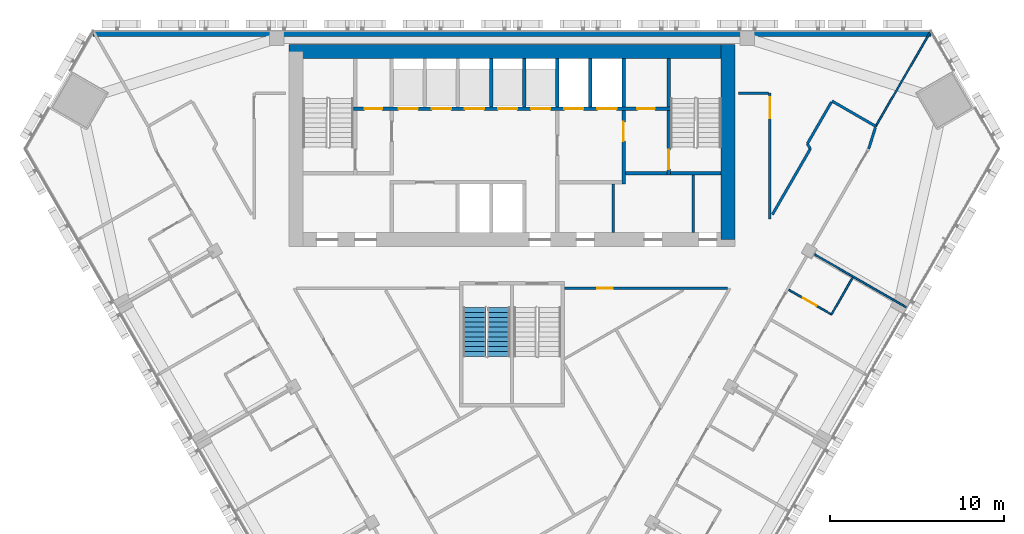
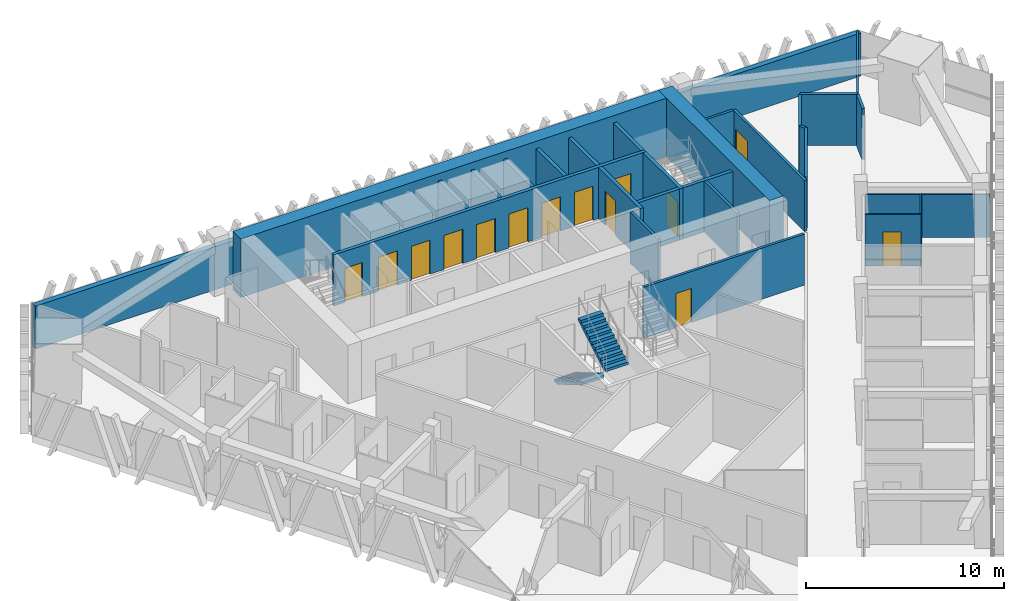
# One storey, part 12 of 16: 28 walls, 14 doors, 2 stair flights, 14 openings, 1 element without a shape of its own.
"""IFC4 building model written with IfcOpenShell, lengths in metres."""

import ifcopenshell
import ifcopenshell.guid

model = None  # the IFC model being written
_history = None  # IfcOwnerHistory: only IFC2X3 demands one
_inside = {}  # id of a spatial element -> (the spatial element, [elements in it])
_under = {}  # id of a project, library or spatial element -> (it, [spatial elements below it])
_declared = {}  # id of a project -> (the project, [libraries it declares])
_typed = {}  # id of a type object -> (the type object, [elements of that type])
_made_of = {}  # id of a material, layer set ... -> (it, [elements and type objects made of it])


def new_model(schema):
    """Start an empty IFC model of exactly this schema.

    Asked for "IFC4X3", IfcOpenShell would pick the latest addendum, in which some entities
    have other attributes; the version numbers below select the first issue.
    IFC2X3 requires an IfcOwnerHistory on every rooted entity: one is made here for all.
    """
    global model, _history
    if schema == "IFC4X3":
        model = ifcopenshell.file(schema_version=(4, 3, 0, 0))
    else:
        model = ifcopenshell.file(schema=schema)
    _inside.clear()
    _under.clear()
    _declared.clear()
    _typed.clear()
    _made_of.clear()
    _history = None
    if model.schema == "IFC2X3":
        org = make("IfcOrganization", Name="unknown")
        user = make(
            "IfcPersonAndOrganization",
            ThePerson=make("IfcPerson", FamilyName="unknown"),
            TheOrganization=org,
        )
        app = make(
            "IfcApplication",
            ApplicationDeveloper=org,
            Version="unknown",
            ApplicationFullName="unknown",
            ApplicationIdentifier="unknown",
        )
        _history = make(
            "IfcOwnerHistory",
            OwningUser=user,
            OwningApplication=app,
            ChangeAction="ADDED",
            CreationDate=0,
        )
    return model


def make(cls, **values):
    """One entity of the class cls with the attributes given. An attribute that is None is left unset."""
    return model.create_entity(
        cls, **{name: value for name, value in values.items() if value is not None}
    )


def rooted(cls, **values):
    """An entity with a GlobalId (a new one), such as an element, a storey or a relation."""
    return make(cls, GlobalId=ifcopenshell.guid.new(), OwnerHistory=_history, **values)


def si_unit(unit_type, name, prefix=None):
    """IfcSIUnit, for example si_unit("LENGTHUNIT", "METRE", prefix="MILLI")."""
    return make("IfcSIUnit", UnitType=unit_type, Prefix=prefix, Name=name)


def assignment(units):
    """IfcUnitAssignment: the units of a project."""
    return None if units is None else make("IfcUnitAssignment", Units=units)


def point(xyz):
    """IfcCartesianPoint."""
    return None if xyz is None else make("IfcCartesianPoint", Coordinates=xyz)


def direction(xyz):
    """IfcDirection."""
    return None if xyz is None else make("IfcDirection", DirectionRatios=xyz)


def frame(location, z_axis=None, x_axis=None):
    """IfcAxis2Placement3D, a coordinate frame: its origin and axes. An axis left out is left unset."""
    return make(
        "IfcAxis2Placement3D",
        Location=point(location),
        Axis=direction(z_axis),
        RefDirection=direction(x_axis),
    )


def frame_2d(location, x_axis=None):
    """IfcAxis2Placement2D, a coordinate frame in the plane: its origin and x axis."""
    return make(
        "IfcAxis2Placement2D", Location=point(location), RefDirection=direction(x_axis)
    )


def origin():
    """The frame at (0, 0, 0) with its axes left unset."""
    return frame((0.0, 0.0, 0.0))


def place(relative_to, where):
    """IfcLocalPlacement: puts the frame where relative to a parent placement (None: the world)."""
    return make(
        "IfcLocalPlacement", PlacementRelTo=relative_to, RelativePlacement=where
    )


def context(
    kind, dimensions, precision=None, world=None, true_north=None, identifier=None
):
    """IfcGeometricRepresentationContext, for example the 3D "Model" context."""
    return make(
        "IfcGeometricRepresentationContext",
        ContextIdentifier=identifier,
        ContextType=kind,
        CoordinateSpaceDimension=dimensions,
        Precision=precision,
        WorldCoordinateSystem=world,
        TrueNorth=true_north,
    )


def subcontext(parent, identifier, kind, view, scale=None):
    """IfcGeometricRepresentationSubContext, for example "Body" below "Model"."""
    return make(
        "IfcGeometricRepresentationSubContext",
        ContextIdentifier=identifier,
        ContextType=kind,
        ParentContext=parent,
        TargetScale=scale,
        TargetView=view,
    )


def project(units=None, contexts=None):
    """IfcProject with its units and contexts."""
    return rooted(
        "IfcProject",
        Name="project",
        RepresentationContexts=contexts,
        UnitsInContext=assignment(units),
    )


def spatial(cls, under=None, at=None, **own):
    """A site, building, storey or space (cls), placed at a placement, below another one or the project."""
    s = rooted(cls, ObjectPlacement=at, **own)
    if under is not None:
        _under.setdefault(under.id(), (under, []))[1].append(s)
    return s


def polyline(points):
    """IfcPolyline through the points."""
    return make("IfcPolyline", Points=[point(p) for p in points])


def profile(cls, at=None, kind="AREA", **sizes):
    """A parametric profile (cls). Its sizes go by their IFC names, for example OverallWidth=200.0."""
    return make(cls, ProfileType=kind, Position=at, **sizes)


def rectangle(**sizes):
    """IfcRectangleProfileDef."""
    return profile("IfcRectangleProfileDef", **sizes)


def outline(outer, holes=None, kind="AREA"):
    """IfcArbitraryClosedProfileDef: a profile drawn as a closed curve; with holes, ...WithVoids."""
    if holes is None:
        return make("IfcArbitraryClosedProfileDef", ProfileType=kind, OuterCurve=outer)
    return make(
        "IfcArbitraryProfileDefWithVoids",
        ProfileType=kind,
        OuterCurve=outer,
        InnerCurves=holes,
    )


def extrude(swept, where, along, depth):
    """IfcExtrudedAreaSolid: the profile swept, set in the frame where, extruded along a direction by depth."""
    return make(
        "IfcExtrudedAreaSolid",
        SweptArea=swept,
        Position=where,
        ExtrudedDirection=direction(along),
        Depth=depth,
    )


def shape(context_of_items, identifier, shape_type, items):
    """IfcShapeRepresentation: the items that make up one representation, for example the "Body"."""
    return make(
        "IfcShapeRepresentation",
        ContextOfItems=context_of_items,
        RepresentationIdentifier=identifier,
        RepresentationType=shape_type,
        Items=items,
    )


def material(Name=None, Category=None):
    """IfcMaterial."""
    return make("IfcMaterial", Name=Name, Category=Category)


def layer(
    of_material, thickness, ventilated=None, Name=None, Category=None, Priority=None
):
    """IfcMaterialLayer: one layer of a wall or slab, of a material (None: an air gap)."""
    return make(
        "IfcMaterialLayer",
        Material=of_material,
        LayerThickness=thickness,
        IsVentilated=ventilated,
        Name=Name,
        Category=Category,
        Priority=Priority,
    )


def layer_set(layers, Name=None):
    """IfcMaterialLayerSet."""
    return make("IfcMaterialLayerSet", MaterialLayers=layers, LayerSetName=Name)


def made_of(thing, what):
    """Note that an element or type object is made of a material, layer set ...; save() writes the relation."""
    if what is not None:
        _made_of.setdefault(what.id(), (what, []))[1].append(thing)
    return thing


def type_object(cls, material=None, **own):
    """A type object (cls), such as IfcWallType, which elements share."""
    return made_of(rooted(cls, **own), material)


def element(
    cls,
    number,
    at=None,
    inside=None,
    cuts=None,
    type_object=None,
    material=None,
    context=None,
    identifier="Body",
    shape_type=None,
    held_by="IfcProductDefinitionShape",
    body=None,
    shapes=None,
    **own,
):
    """One element of the class cls, such as IfcWall. Its Tag is "e" and its number.

    at: its placement. inside: the storey or other place that contains it. cuts: it is an
    opening in that element (IfcRelVoidsElement). A single representation is given by context,
    identifier, shape_type and body (its items); several are given by shapes. held_by: the class
    of the entity that holds the representations. save() writes the other relations.
    """
    e = rooted(cls, Tag="e%d" % number, ObjectPlacement=at, **own)
    if body is not None:
        shapes = [shape(context, identifier, shape_type, body)]
    if shapes is not None:
        e.Representation = make(held_by, Representations=shapes)
    if inside is not None:
        _inside.setdefault(inside.id(), (inside, []))[1].append(e)
    if cuts is not None:
        rooted(
            "IfcRelVoidsElement", RelatingBuildingElement=cuts, RelatedOpeningElement=e
        )
    if type_object is not None:
        _typed.setdefault(type_object.id(), (type_object, []))[1].append(e)
    return made_of(e, material)


def fill(opening, filler):
    """IfcRelFillsElement: the door or window that sits in an opening."""
    return rooted(
        "IfcRelFillsElement",
        RelatingOpeningElement=opening,
        RelatedBuildingElement=filler,
    )


def aggregate(whole, parts):
    """IfcRelAggregates: a whole, such as a stair, and the parts it consists of."""
    return rooted("IfcRelAggregates", RelatingObject=whole, RelatedObjects=parts)


def save(model, path):
    """Write the relations noted so far, then the file.

    IfcRelAggregates (storeys below a building ...), IfcRelContainedInSpatialStructure (elements
    in a storey), IfcRelDefinesByType, IfcRelAssociatesMaterial and IfcRelDeclares: one each for
    every whole, place, type object, material and project.
    """
    for whole, parts in _under.values():
        aggregate(whole, parts)
    for where, things in _inside.values():
        rooted(
            "IfcRelContainedInSpatialStructure",
            RelatedElements=things,
            RelatingStructure=where,
        )
    for kind, things in _typed.values():
        rooted("IfcRelDefinesByType", RelatedObjects=things, RelatingType=kind)
    for what, things in _made_of.values():
        rooted("IfcRelAssociatesMaterial", RelatedObjects=things, RelatingMaterial=what)
    for by, libraries in _declared.values():
        rooted("IfcRelDeclares", RelatingContext=by, RelatedDefinitions=libraries)
    model.write(path)


model = new_model("IFC4")

# Units and contexts
model_context = context("Model", 3, precision=1e-05, world=origin(), true_north=direction((0.0, 1.0)))
body_context = subcontext(model_context, "Body", "Model", "MODEL_VIEW")
ifc_project = project(units=[si_unit("LENGTHUNIT", "METRE"), si_unit("AREAUNIT", "SQUARE_METRE"), si_unit("VOLUMEUNIT", "CUBIC_METRE"), si_unit("PLANEANGLEUNIT", "RADIAN"), si_unit("MASSUNIT", "GRAM", prefix="KILO")], contexts=[model_context])

# Site, building, storey
site_placement = place(None, origin())
site = spatial("IfcSite", under=ifc_project, at=site_placement, CompositionType="ELEMENT")
building_placement = place(site_placement, origin())
building = spatial("IfcBuilding", under=site, at=building_placement, Name="Altiplano Prism Tower", CompositionType="ELEMENT")
storey_placement = place(building_placement, frame((0.0, 0.0, 127.800048828125)))
storey = spatial("IfcBuildingStorey", under=building, at=storey_placement, Name="L32", CompositionType="ELEMENT", Elevation=127.800048828125)

# Walls
ifc_material_1 = material(Name="Concrete C60/75", Category="concrete")
ifc_layer_1 = layer(ifc_material_1, 0.800048828125)
ifc_layer_set_1 = layer_set([ifc_layer_1], Name="Concrete C60/75")
wall_type_1 = type_object("IfcWallType", Name="Core wall 800", PredefinedType="SHEAR", material=ifc_layer_set_1)
wall_1_placement = place(storey_placement, frame((97.39990234375, 93.0, 0.0), z_axis=(0.0, 0.0, 1.0), x_axis=(0.0, 1.0, 0.0)))
element("IfcWall", 1, at=wall_1_placement, inside=storey, type_object=wall_type_1, Name="Core wall E L32", PredefinedType="SHEAR", context=body_context, shape_type="SweptSolid", body=[
    extrude(rectangle(XDim=11.199951171875, YDim=0.800048828125, at=frame_2d((5.60009765625, 0.0))), origin(), (0.0, 0.0, 1.0), 3.599853515625),
])
wall_2_placement = place(storey_placement, frame((97.39990234375, 103.800048828125, 0.0), z_axis=(0.0, 0.0, 1.0), x_axis=(-1.0, 0.0, 0.0)))
element("IfcWall", 2, at=wall_2_placement, inside=storey, type_object=wall_type_1, Name="Core wall N L32", PredefinedType="SHEAR", context=body_context, shape_type="SweptSolid", body=[
    extrude(rectangle(XDim=25.199951171875, YDim=0.800048828125, at=frame_2d((12.60009765625, 0.0))), origin(), (0.0, 0.0, 1.0), 3.599853515625),
])
ifc_material_2 = material(Name="Plasterboard on steel stud", Category="steel")
ifc_layer_2 = layer(ifc_material_2, 0.10009765625)
ifc_layer_set_2 = layer_set([ifc_layer_2], Name="Plasterboard on steel stud")
wall_type_2 = type_object("IfcWallType", Name="Partition 100 unit", PredefinedType="PARTITIONING", material=ifc_layer_set_2)
wall_3_placement = place(storey_placement, frame((104.55419921875, 90.827392578125, 0.0), z_axis=(0.0, 0.0, 1.0), x_axis=(-0.500018594424, -0.866014668023, 0.0)))
element("IfcWall", 3, at=wall_3_placement, inside=storey, type_object=wall_type_2, Name="Partition P02 L32 075", PredefinedType="PARTITIONING", context=body_context, shape_type="SweptSolid", body=[
    extrude(rectangle(XDim=2.4501953125, YDim=0.10009765625, at=frame_2d((1.22509765625, 0.0))), origin(), (0.0, 0.0, 1.0), 2.75),
])

# Wall, opening, door
wall_4_placement = place(storey_placement, frame((103.3291015625, 88.70556640625, 0.0), z_axis=(0.0, 0.0, 1.0), x_axis=(-0.866011447264, 0.500024172624, 0.0)))
wall_4 = element("IfcWall", 4, at=wall_4_placement, inside=storey, type_object=wall_type_2, Name="Partition P02 L32 076", PredefinedType="PARTITIONING", context=body_context, shape_type="SweptSolid", body=[
    extrude(rectangle(XDim=2.824951171875, YDim=0.10009765625, at=frame_2d((1.41259765625, 0.0))), origin(), (0.0, 0.0, 1.0), 3.14990234375),
])
opening_1_placement = place(wall_4_placement, frame((1.0, 0.0, 0.0)))
opening_1 = element("IfcOpeningElement", 5, at=opening_1_placement, cuts=wall_4, Name="Opening D1170", PredefinedType="OPENING", context=body_context, shape_type="SweptSolid", body=[
    extrude(rectangle(XDim=0.89990234375, YDim=2.10009765625, at=frame_2d((0.449951171875, 1.050048828125))), frame((0.0, 0.060546875, 0.0), z_axis=(0.0, -1.0, 0.0), x_axis=(1.0, 0.0, 0.0)), (0.0, 0.0, 1.0), 0.12109375),
])
ifc_material_3 = material(Name="Timber", Category="wood")
door_type_1 = type_object("IfcDoorType", Name="Ensuite door 900 x 2100", OperationType="NOTDEFINED", PredefinedType="NOTDEFINED", material=ifc_material_3)
door_1_placement = place(opening_1_placement, origin())
door_1 = element("IfcDoor", 6, at=door_1_placement, inside=storey, type_object=door_type_1, Name="Door D1170", OperationType="SINGLE_SWING_RIGHT", OverallHeight=2.10009765625, OverallWidth=0.89990234375, PredefinedType="NOTDEFINED", context=body_context, shape_type="SweptSolid", body=[
    extrude(rectangle(XDim=0.89990234375, YDim=2.10009765625, at=frame_2d((0.449951171875, 1.050048828125))), frame((0.0, 0.02490234375, 0.0), z_axis=(0.0, -1.0, 0.0), x_axis=(1.0, 0.0, 0.0)), (0.0, 0.0, 1.0), 0.050048828125),
])
fill(opening_1, door_1)

# Walls
ifc_layer_3 = layer(ifc_material_2, 0.10009765625)
ifc_layer_set_3 = layer_set([ifc_layer_3], Name="Plasterboard on steel stud")
wall_type_3 = type_object("IfcWallType", Name="Partition 100 wet", PredefinedType="PARTITIONING", material=ifc_layer_set_3)
wall_5_placement = place(storey_placement, frame((107.610107421875, 89.12060546875, 0.0), z_axis=(0.0, 0.0, 1.0), x_axis=(-0.866015887322, 0.500016482634, 0.0)))
element("IfcWall", 7, at=wall_5_placement, inside=storey, type_object=wall_type_3, Name="Partition P03 L32 077", PredefinedType="PARTITIONING", context=body_context, shape_type="SweptSolid", body=[
    extrude(rectangle(XDim=6.324951171875, YDim=0.10009765625, at=frame_2d((3.16259765625, 0.0))), origin(), (0.0, 0.0, 1.0), 2.64990234375),
])
wall_6_placement = place(storey_placement, frame((108.990966796875, 104.89990234375, 0.0), z_axis=(0.0, 0.0, 1.0), x_axis=(-0.500004896655, -0.866022576681, 0.0)))
element("IfcWall", 8, at=wall_6_placement, inside=storey, type_object=wall_type_3, Name="Partition P03 L32 078", PredefinedType="PARTITIONING", context=body_context, shape_type="SweptSolid", body=[
    extrude(rectangle(XDim=6.2353515625, YDim=0.10009765625, at=frame_2d((3.11767578125, 0.0))), origin(), (0.0, 0.0, 1.0), 2.64990234375),
])

# Wall, opening, door
ifc_layer_4 = layer(ifc_material_2, 0.14990234375)
ifc_layer_set_4 = layer_set([ifc_layer_4], Name="Plasterboard on steel stud")
wall_type_4 = type_object("IfcWallType", Name="Partition 150 corridor", PredefinedType="PARTITIONING", material=ifc_layer_set_4)
wall_7_placement = place(storey_placement, frame((88.0, 90.199951171875, 0.0), z_axis=(0.0, 0.0, 1.0), x_axis=(1.0, 0.0, 0.0)))
wall_7 = element("IfcWall", 9, at=wall_7_placement, inside=storey, type_object=wall_type_4, Name="Partition P06 L32 002", PredefinedType="PARTITIONING", context=body_context, shape_type="SweptSolid", body=[
    extrude(rectangle(XDim=9.36474609375, YDim=0.14990234375, at=frame_2d((4.682373046875, 0.0))), origin(), (0.0, 0.0, 1.0), 3.14990234375),
])
opening_2_placement = place(wall_7_placement, frame((1.888916015625, 0.0, 0.0)))
opening_2 = element("IfcOpeningElement", 10, at=opening_2_placement, cuts=wall_7, Name="Opening D1136", PredefinedType="OPENING", context=body_context, shape_type="SweptSolid", body=[
    extrude(rectangle(XDim=0.89990234375, YDim=2.10009765625, at=frame_2d((0.449951171875, 1.050048828125))), frame((0.0, 0.08544921875, 0.0), z_axis=(0.0, -1.0, 0.0), x_axis=(1.0, 0.0, 0.0)), (0.0, 0.0, 1.0), 0.1708984375),
])
door_type_2 = type_object("IfcDoorType", Name="Toilet door 900 x 2100", OperationType="NOTDEFINED", PredefinedType="NOTDEFINED", material=ifc_material_3)
door_2_placement = place(opening_2_placement, origin())
door_2 = element("IfcDoor", 11, at=door_2_placement, inside=storey, type_object=door_type_2, Name="Door D1136", OperationType="SINGLE_SWING_LEFT", OverallHeight=2.10009765625, OverallWidth=0.89990234375, PredefinedType="NOTDEFINED", context=body_context, shape_type="SweptSolid", body=[
    extrude(rectangle(XDim=0.89990234375, YDim=2.10009765625, at=frame_2d((0.449951171875, 1.050048828125))), frame((0.0, 0.02490234375, 0.0), z_axis=(0.0, -1.0, 0.0), x_axis=(1.0, 0.0, 0.0)), (0.0, 0.0, 1.0), 0.050048828125),
])
fill(opening_2, door_2)

# Walls
wall_8_placement = place(storey_placement, frame((105.465576171875, 98.2060546875, 0.0), z_axis=(0.0, 0.0, 1.0), x_axis=(0.300548671062, 0.953766478926, 0.0)))
element("IfcWall", 12, at=wall_8_placement, inside=storey, type_object=wall_type_4, Name="Partition P06 L32 008", PredefinedType="PARTITIONING", context=body_context, shape_type="SweptSolid", body=[
    extrude(rectangle(XDim=1.283447265625, YDim=0.14990234375, at=frame_2d((0.6416015625, 0.0))), origin(), (0.0, 0.0, 1.0), 3.14990234375),
])
wall_9_placement = place(storey_placement, frame((105.873291015625, 99.5, 0.0), z_axis=(0.0, 0.0, 1.0), x_axis=(-0.866032775405, 0.499987231761, 0.0)))
element("IfcWall", 13, at=wall_9_placement, inside=storey, type_object=wall_type_4, Name="Partition P06 L32 009", PredefinedType="PARTITIONING", context=body_context, shape_type="SweptSolid", body=[
    extrude(rectangle(XDim=2.89990234375, YDim=0.14990234375, at=frame_2d((1.449951171875, 0.0))), origin(), (0.0, 0.0, 1.0), 3.14990234375),
])
wall_10_placement = place(storey_placement, frame((103.324462890625, 100.885009765625, 0.0), z_axis=(0.0, 0.0, 1.0), x_axis=(-0.499991038717, -0.866030577522, 0.0)))
element("IfcWall", 14, at=wall_10_placement, inside=storey, type_object=wall_type_4, Name="Partition P06 L32 010", PredefinedType="PARTITIONING", context=body_context, shape_type="SweptSolid", body=[
    extrude(rectangle(XDim=2.75390625, YDim=0.14990234375, at=frame_2d((1.376953125, 0.0))), origin(), (0.0, 0.0, 1.0), 3.14990234375),
])
wall_11_placement = place(storey_placement, frame((101.947509765625, 98.5, 0.0), z_axis=(0.0, 0.0, 1.0), x_axis=(0.499390178911, -0.866377197996, 0.0)))
element("IfcWall", 15, at=wall_11_placement, inside=storey, type_object=wall_type_4, Name="Partition P06 L32 011", PredefinedType="PARTITIONING", context=body_context, shape_type="SweptSolid", body=[
    extrude(rectangle(XDim=0.33935546875, YDim=0.14990234375, at=frame_2d((0.169677734375, 0.0))), origin(), (0.0, 0.0, 1.0), 3.14990234375),
])
wall_12_placement = place(storey_placement, frame((102.116943359375, 98.2060546875, 0.0), z_axis=(0.0, 0.0, 1.0), x_axis=(-0.499992644437, -0.866029650479, 0.0)))
element("IfcWall", 16, at=wall_12_placement, inside=storey, type_object=wall_type_4, Name="Partition P06 L32 012", PredefinedType="PARTITIONING", context=body_context, shape_type="SweptSolid", body=[
    extrude(rectangle(XDim=4.35400390625, YDim=0.14990234375, at=frame_2d((2.177001953125, 0.0))), origin(), (0.0, 0.0, 1.0), 3.14990234375),
])

# Wall, opening, door
wall_13_placement = place(storey_placement, frame((99.800048828125, 94.19287109375, 0.0), z_axis=(0.0, 0.0, 1.0), x_axis=(0.0, 1.0, 0.0)))
wall_13 = element("IfcWall", 17, at=wall_13_placement, inside=storey, type_object=wall_type_4, Name="Partition P06 L32 013", PredefinedType="PARTITIONING", context=body_context, shape_type="SweptSolid", body=[
    extrude(rectangle(XDim=7.20703125, YDim=0.14990234375, at=frame_2d((3.603515625, 0.0))), origin(), (0.0, 0.0, 1.0), 3.14990234375),
])
opening_3_placement = place(wall_13_placement, frame((5.763916015625, 0.0, 0.0)))
opening_3 = element("IfcOpeningElement", 18, at=opening_3_placement, cuts=wall_13, Name="Opening D1172", PredefinedType="OPENING", context=body_context, shape_type="SweptSolid", body=[
    extrude(rectangle(XDim=1.199951171875, YDim=2.10009765625, at=frame_2d((0.60009765625, 1.050048828125))), frame((0.0, 0.08544921875, 0.0), z_axis=(0.0, -1.0, 0.0), x_axis=(1.0, 0.0, 0.0)), (0.0, 0.0, 1.0), 0.1708984375),
])
door_type_3 = type_object("IfcDoorType", Name="Shared room door 1200 x 2100", OperationType="NOTDEFINED", PredefinedType="NOTDEFINED", material=ifc_material_3)
door_3_placement = place(opening_3_placement, origin())
door_3 = element("IfcDoor", 19, at=door_3_placement, inside=storey, type_object=door_type_3, Name="Door D1172", OperationType="SINGLE_SWING_LEFT", OverallHeight=2.10009765625, OverallWidth=1.199951171875, PredefinedType="NOTDEFINED", context=body_context, shape_type="SweptSolid", body=[
    extrude(rectangle(XDim=1.199951171875, YDim=2.10009765625, at=frame_2d((0.60009765625, 1.050048828125))), frame((0.0, 0.02490234375, 0.0), z_axis=(0.0, -1.0, 0.0), x_axis=(1.0, 0.0, 0.0)), (0.0, 0.0, 1.0), 0.050048828125),
])
fill(opening_3, door_3)

# Walls
wall_14_placement = place(storey_placement, frame((99.72509765625, 101.39990234375, 0.0), z_axis=(0.0, 0.0, 1.0), x_axis=(-1.0, 0.0, 0.0)))
element("IfcWall", 20, at=wall_14_placement, inside=storey, type_object=wall_type_4, Name="Partition P06 L32 014", PredefinedType="PARTITIONING", context=body_context, shape_type="SweptSolid", body=[
    extrude(rectangle(XDim=1.72509765625, YDim=0.14990234375, at=frame_2d((0.862548828125, 0.0))), origin(), (0.0, 0.0, 1.0), 3.14990234375),
])
ifc_material_4 = material(Name="Fire-rated gypsum board partition")
ifc_layer_5 = layer(ifc_material_4, 0.14990234375)
ifc_layer_set_5 = layer_set([ifc_layer_5], Name="Fire-rated gypsum board partition")
wall_type_5 = type_object("IfcWallType", Name="Room partition 150", PredefinedType="PARTITIONING", material=ifc_layer_set_5)
wall_15_placement = place(storey_placement, frame((90.800048828125, 93.39990234375, 0.0), z_axis=(0.0, 0.0, 1.0), x_axis=(0.0, 1.0, 0.0)))
element("IfcWall", 21, at=wall_15_placement, inside=storey, type_object=wall_type_5, Name="Room partition L32", PredefinedType="PARTITIONING", context=body_context, shape_type="SweptSolid", body=[
    extrude(rectangle(XDim=2.800048828125, YDim=0.14990234375, at=frame_2d((1.39990234375, 0.0))), origin(), (0.0, 0.0, 1.0), 3.14990234375),
])
wall_16_placement = place(storey_placement, frame((95.39990234375, 93.39990234375, 0.0), z_axis=(0.0, 0.0, 1.0), x_axis=(0.0, 1.0, 0.0)))
element("IfcWall", 22, at=wall_16_placement, inside=storey, type_object=wall_type_5, Name="Room partition L32", PredefinedType="PARTITIONING", context=body_context, shape_type="SweptSolid", body=[
    extrude(rectangle(XDim=3.300048828125, YDim=0.14990234375, at=frame_2d((1.64990234375, 0.0))), origin(), (0.0, 0.0, 1.0), 3.14990234375),
])
ifc_layer_6 = layer(ifc_material_1, 0.199951171875)
ifc_layer_set_6 = layer_set([ifc_layer_6], Name="Concrete C60/75")
wall_type_6 = type_object("IfcWallType", Name="Shaft wall 200", PredefinedType="SOLIDWALL", material=ifc_layer_set_6)
for number, where, z_axis, x_axis, name in (
    (23, (83.800048828125, 100.60009765625, 0.0), (0.0, 0.0, 1.0), (0.0, 1.0, 0.0), "Shaft wall L32"),
    (24, (85.699951171875, 100.60009765625, 0.0), (0.0, 0.0, 1.0), (0.0, 1.0, 0.0), "Shaft wall L32"),
    (25, (87.60009765625, 100.60009765625, 0.0), (0.0, 0.0, 1.0), (0.0, 1.0, 0.0), "Shaft wall L32"),
    (26, (89.5, 100.60009765625, 0.0), (0.0, 0.0, 1.0), (0.0, 1.0, 0.0), "Shaft wall L32"),
    (27, (91.39990234375, 100.60009765625, 0.0), (0.0, 0.0, 1.0), (0.0, 1.0, 0.0), "Shaft wall L32"),
):
    element("IfcWall", number, at=place(storey_placement, frame(where, z_axis=z_axis, x_axis=x_axis)), inside=storey, type_object=wall_type_6, Name=name, PredefinedType="SOLIDWALL", context=body_context, shape_type="SweptSolid", body=[
        extrude(rectangle(XDim=2.7998046875, YDim=0.199951171875, at=frame_2d((1.39990234375, 0.0))), origin(), (0.0, 0.0, 1.0), 3.14990234375),
    ])

# Wall, opening, door
ifc_layer_7 = layer(ifc_material_1, 0.199951171875)
ifc_layer_set_7 = layer_set([ifc_layer_7], Name="Concrete C60/75")
wall_type_7 = type_object("IfcWallType", Name="Stair wall 200", PredefinedType="SOLIDWALL", material=ifc_layer_set_7)
wall_17_placement = place(storey_placement, frame((94.0, 96.699951171875, 0.0), z_axis=(0.0, 0.0, 1.0), x_axis=(0.0, 1.0, 0.0)))
wall_17 = element("IfcWall", 28, at=wall_17_placement, inside=storey, type_object=wall_type_7, Name="Stair wall L32", PredefinedType="SOLIDWALL", context=body_context, shape_type="SweptSolid", body=[
    extrude(rectangle(XDim=3.699951171875, YDim=0.199951171875, at=frame_2d((1.85009765625, 0.0))), origin(), (0.0, 0.0, 1.0), 3.14990234375),
])
opening_4_placement = place(wall_17_placement, frame((0.35009765625, 0.0, 0.0)))
opening_4 = element("IfcOpeningElement", 29, at=opening_4_placement, cuts=wall_17, Name="Opening D3012", PredefinedType="OPENING", context=body_context, shape_type="SweptSolid", body=[
    extrude(rectangle(XDim=1.10009765625, YDim=2.10009765625, at=frame_2d((0.550048828125, 1.050048828125))), frame((0.0, 0.1103515625, 0.0), z_axis=(0.0, -1.0, 0.0), x_axis=(1.0, 0.0, 0.0)), (0.0, 0.0, 1.0), 0.220947265625),
])
ifc_material_5 = material(Name="Fire-rated steel door", Category="steel")
door_type_4 = type_object("IfcDoorType", Name="Stair fire door 1100 x 2100", OperationType="NOTDEFINED", PredefinedType="NOTDEFINED", material=ifc_material_5)
door_4_placement = place(opening_4_placement, origin())
door_4 = element("IfcDoor", 30, at=door_4_placement, inside=storey, type_object=door_type_4, Name="Stair fire door D3012", OperationType="SINGLE_SWING_LEFT", OverallHeight=2.10009765625, OverallWidth=1.10009765625, PredefinedType="NOTDEFINED", context=body_context, shape_type="SweptSolid", body=[
    extrude(rectangle(XDim=1.10009765625, YDim=2.10009765625, at=frame_2d((0.550048828125, 1.050048828125))), frame((0.0, 0.02490234375, 0.0), z_axis=(0.0, -1.0, 0.0), x_axis=(1.0, 0.0, 0.0)), (0.0, 0.0, 1.0), 0.050048828125),
])
fill(opening_4, door_4)

# Wall
wall_18_placement = place(storey_placement, frame((94.10009765625, 96.800048828125, 0.0), z_axis=(0.0, 0.0, 1.0), x_axis=(1.0, 0.0, 0.0)))
element("IfcWall", 31, at=wall_18_placement, inside=storey, type_object=wall_type_7, Name="Stair wall L32", PredefinedType="SOLIDWALL", context=body_context, shape_type="SweptSolid", body=[
    extrude(rectangle(XDim=2.89990234375, YDim=0.199951171875, at=frame_2d((1.449951171875, 0.0))), origin(), (0.0, 0.0, 1.0), 3.14990234375),
])

# Wall, openings, doors
wall_19_placement = place(storey_placement, frame((75.89990234375, 100.5, 0.0), z_axis=(0.0, 0.0, 1.0), x_axis=(1.0, 0.0, 0.0)))
wall_19 = element("IfcWall", 32, at=wall_19_placement, inside=storey, type_object=wall_type_7, Name="Stair wall L32", PredefinedType="SOLIDWALL", context=body_context, shape_type="SweptSolid", body=[
    extrude(rectangle(XDim=18.2001953125, YDim=0.199951171875, at=frame_2d((9.10009765625, 0.0))), origin(), (0.0, 0.0, 1.0), 3.14990234375),
])
opening_5_placement = place(wall_19_placement, frame((2.60009765625, 0.0, 0.0)))
opening_5 = element("IfcOpeningElement", 33, at=opening_5_placement, cuts=wall_19, Name="Opening LD-ML1-L32", PredefinedType="OPENING", context=body_context, shape_type="SweptSolid", body=[
    extrude(rectangle(XDim=1.10009765625, YDim=2.10009765625, at=frame_2d((0.550048828125, 1.050048828125))), frame((0.0, 0.1103515625, 0.0), z_axis=(0.0, -1.0, 0.0), x_axis=(1.0, 0.0, 0.0)), (0.0, 0.0, 1.0), 0.220947265625),
])
opening_6_placement = place(wall_19_placement, frame((4.5, 0.0, 0.0)))
opening_6 = element("IfcOpeningElement", 34, at=opening_6_placement, cuts=wall_19, Name="Opening LD-ML2-L32", PredefinedType="OPENING", context=body_context, shape_type="SweptSolid", body=[
    extrude(rectangle(XDim=1.10009765625, YDim=2.10009765625, at=frame_2d((0.550048828125, 1.050048828125))), frame((0.0, 0.1103515625, 0.0), z_axis=(0.0, -1.0, 0.0), x_axis=(1.0, 0.0, 0.0)), (0.0, 0.0, 1.0), 0.220947265625),
])
opening_7_placement = place(wall_19_placement, frame((6.39990234375, 0.0, 0.0)))
opening_7 = element("IfcOpeningElement", 35, at=opening_7_placement, cuts=wall_19, Name="Opening LD-ML3-L32", PredefinedType="OPENING", context=body_context, shape_type="SweptSolid", body=[
    extrude(rectangle(XDim=1.10009765625, YDim=2.10009765625, at=frame_2d((0.550048828125, 1.050048828125))), frame((0.0, 0.1103515625, 0.0), z_axis=(0.0, -1.0, 0.0), x_axis=(1.0, 0.0, 0.0)), (0.0, 0.0, 1.0), 0.220947265625),
])
opening_8_placement = place(wall_19_placement, frame((8.300048828125, 0.0, 0.0)))
opening_8 = element("IfcOpeningElement", 36, at=opening_8_placement, cuts=wall_19, Name="Opening LD-ML4-L32", PredefinedType="OPENING", context=body_context, shape_type="SweptSolid", body=[
    extrude(rectangle(XDim=1.10009765625, YDim=2.10009765625, at=frame_2d((0.550048828125, 1.050048828125))), frame((0.0, 0.1103515625, 0.0), z_axis=(0.0, -1.0, 0.0), x_axis=(1.0, 0.0, 0.0)), (0.0, 0.0, 1.0), 0.220947265625),
])
opening_9_placement = place(wall_19_placement, frame((10.199951171875, 0.0, 0.0)))
opening_9 = element("IfcOpeningElement", 37, at=opening_9_placement, cuts=wall_19, Name="Opening LD-ML5-L32", PredefinedType="OPENING", context=body_context, shape_type="SweptSolid", body=[
    extrude(rectangle(XDim=1.10009765625, YDim=2.10009765625, at=frame_2d((0.550048828125, 1.050048828125))), frame((0.0, 0.1103515625, 0.0), z_axis=(0.0, -1.0, 0.0), x_axis=(1.0, 0.0, 0.0)), (0.0, 0.0, 1.0), 0.220947265625),
])
opening_10_placement = place(wall_19_placement, frame((12.10009765625, 0.0, 0.0)))
opening_10 = element("IfcOpeningElement", 38, at=opening_10_placement, cuts=wall_19, Name="Opening LD-FF1-L32", PredefinedType="OPENING", context=body_context, shape_type="SweptSolid", body=[
    extrude(rectangle(XDim=1.10009765625, YDim=2.10009765625, at=frame_2d((0.550048828125, 1.050048828125))), frame((0.0, 0.1103515625, 0.0), z_axis=(0.0, -1.0, 0.0), x_axis=(1.0, 0.0, 0.0)), (0.0, 0.0, 1.0), 0.220947265625),
])
opening_11_placement = place(wall_19_placement, frame((14.0, 0.0, 0.0)))
opening_11 = element("IfcOpeningElement", 39, at=opening_11_placement, cuts=wall_19, Name="Opening LD-FF2-L32", PredefinedType="OPENING", context=body_context, shape_type="SweptSolid", body=[
    extrude(rectangle(XDim=1.10009765625, YDim=2.10009765625, at=frame_2d((0.550048828125, 1.050048828125))), frame((0.0, 0.1103515625, 0.0), z_axis=(0.0, -1.0, 0.0), x_axis=(1.0, 0.0, 0.0)), (0.0, 0.0, 1.0), 0.220947265625),
])
opening_12_placement = place(wall_19_placement, frame((0.64990234375, 0.0, 0.0)))
opening_12 = element("IfcOpeningElement", 40, at=opening_12_placement, cuts=wall_19, Name="Opening D3019", PredefinedType="OPENING", context=body_context, shape_type="SweptSolid", body=[
    extrude(rectangle(XDim=1.0, YDim=2.10009765625, at=frame_2d((0.5, 1.050048828125))), frame((0.0, 0.1103515625, 0.0), z_axis=(0.0, -1.0, 0.0), x_axis=(1.0, 0.0, 0.0)), (0.0, 0.0, 1.0), 0.220947265625),
])
opening_13_placement = place(wall_19_placement, frame((16.300048828125, 0.0, 0.0)))
opening_13 = element("IfcOpeningElement", 41, at=opening_13_placement, cuts=wall_19, Name="Opening D3020", PredefinedType="OPENING", context=body_context, shape_type="SweptSolid", body=[
    extrude(rectangle(XDim=1.0, YDim=2.10009765625, at=frame_2d((0.5, 1.050048828125))), frame((0.0, 0.1103515625, 0.0), z_axis=(0.0, -1.0, 0.0), x_axis=(1.0, 0.0, 0.0)), (0.0, 0.0, 1.0), 0.220947265625),
])
door_type_5 = type_object("IfcDoorType", Name="Core room door 1000 x 2100", OperationType="NOTDEFINED", PredefinedType="NOTDEFINED", material=ifc_material_5)
door_5_placement = place(opening_12_placement, origin())
door_5 = element("IfcDoor", 42, at=door_5_placement, inside=storey, type_object=door_type_5, Name="Core room door D3019", OperationType="SINGLE_SWING_LEFT", OverallHeight=2.10009765625, OverallWidth=1.0, PredefinedType="NOTDEFINED", context=body_context, shape_type="SweptSolid", body=[
    extrude(rectangle(XDim=1.0, YDim=2.10009765625, at=frame_2d((0.5, 1.050048828125))), frame((0.0, 0.02490234375, 0.0), z_axis=(0.0, -1.0, 0.0), x_axis=(1.0, 0.0, 0.0)), (0.0, 0.0, 1.0), 0.050048828125),
])
fill(opening_12, door_5)
door_6_placement = place(opening_13_placement, origin())
door_6 = element("IfcDoor", 43, at=door_6_placement, inside=storey, type_object=door_type_5, Name="Core room door D3020", OperationType="SINGLE_SWING_RIGHT", OverallHeight=2.10009765625, OverallWidth=1.0, PredefinedType="NOTDEFINED", context=body_context, shape_type="SweptSolid", body=[
    extrude(rectangle(XDim=1.0, YDim=2.10009765625, at=frame_2d((0.5, 1.050048828125))), frame((0.0, 0.02490234375, 0.0), z_axis=(0.0, -1.0, 0.0), x_axis=(1.0, 0.0, 0.0)), (0.0, 0.0, 1.0), 0.050048828125),
])
fill(opening_13, door_6)
ifc_material_6 = material(Name="Stainless steel landing door", Category="steel")
door_type_6 = type_object("IfcDoorType", Name="Landing door 1100 x 2100", OperationType="NOTDEFINED", PredefinedType="NOTDEFINED", material=ifc_material_6)
door_7_placement = place(opening_5_placement, origin())
door_7 = element("IfcDoor", 44, at=door_7_placement, inside=storey, type_object=door_type_6, Name="Landing doors ML1", OperationType="SLIDING_TO_RIGHT", OverallHeight=2.10009765625, OverallWidth=1.10009765625, PredefinedType="NOTDEFINED", context=body_context, shape_type="SweptSolid", body=[
    extrude(rectangle(XDim=1.10009765625, YDim=2.10009765625, at=frame_2d((0.550048828125, 1.050048828125))), frame((0.0, 0.02490234375, 0.0), z_axis=(0.0, -1.0, 0.0), x_axis=(1.0, 0.0, 0.0)), (0.0, 0.0, 1.0), 0.050048828125),
])
fill(opening_5, door_7)
door_8_placement = place(opening_6_placement, origin())
door_8 = element("IfcDoor", 45, at=door_8_placement, inside=storey, type_object=door_type_6, Name="Landing doors ML2", OperationType="SLIDING_TO_LEFT", OverallHeight=2.10009765625, OverallWidth=1.10009765625, PredefinedType="NOTDEFINED", context=body_context, shape_type="SweptSolid", body=[
    extrude(rectangle(XDim=1.10009765625, YDim=2.10009765625, at=frame_2d((0.550048828125, 1.050048828125))), frame((0.0, 0.02490234375, 0.0), z_axis=(0.0, -1.0, 0.0), x_axis=(1.0, 0.0, 0.0)), (0.0, 0.0, 1.0), 0.050048828125),
])
fill(opening_6, door_8)
door_9_placement = place(opening_7_placement, origin())
door_9 = element("IfcDoor", 46, at=door_9_placement, inside=storey, type_object=door_type_6, Name="Landing doors ML3", OperationType="SLIDING_TO_RIGHT", OverallHeight=2.10009765625, OverallWidth=1.10009765625, PredefinedType="NOTDEFINED", context=body_context, shape_type="SweptSolid", body=[
    extrude(rectangle(XDim=1.10009765625, YDim=2.10009765625, at=frame_2d((0.550048828125, 1.050048828125))), frame((0.0, 0.02490234375, 0.0), z_axis=(0.0, -1.0, 0.0), x_axis=(1.0, 0.0, 0.0)), (0.0, 0.0, 1.0), 0.050048828125),
])
fill(opening_7, door_9)
door_10_placement = place(opening_8_placement, origin())
door_10 = element("IfcDoor", 47, at=door_10_placement, inside=storey, type_object=door_type_6, Name="Landing doors ML4", OperationType="SLIDING_TO_LEFT", OverallHeight=2.10009765625, OverallWidth=1.10009765625, PredefinedType="NOTDEFINED", context=body_context, shape_type="SweptSolid", body=[
    extrude(rectangle(XDim=1.10009765625, YDim=2.10009765625, at=frame_2d((0.550048828125, 1.050048828125))), frame((0.0, 0.02490234375, 0.0), z_axis=(0.0, -1.0, 0.0), x_axis=(1.0, 0.0, 0.0)), (0.0, 0.0, 1.0), 0.050048828125),
])
fill(opening_8, door_10)
door_11_placement = place(opening_9_placement, origin())
door_11 = element("IfcDoor", 48, at=door_11_placement, inside=storey, type_object=door_type_6, Name="Landing doors ML5", OperationType="SLIDING_TO_RIGHT", OverallHeight=2.10009765625, OverallWidth=1.10009765625, PredefinedType="NOTDEFINED", context=body_context, shape_type="SweptSolid", body=[
    extrude(rectangle(XDim=1.10009765625, YDim=2.10009765625, at=frame_2d((0.550048828125, 1.050048828125))), frame((0.0, 0.02490234375, 0.0), z_axis=(0.0, -1.0, 0.0), x_axis=(1.0, 0.0, 0.0)), (0.0, 0.0, 1.0), 0.050048828125),
])
fill(opening_9, door_11)
door_12_placement = place(opening_10_placement, origin())
door_12 = element("IfcDoor", 49, at=door_12_placement, inside=storey, type_object=door_type_6, Name="Landing doors FF1", OperationType="SLIDING_TO_RIGHT", OverallHeight=2.10009765625, OverallWidth=1.10009765625, PredefinedType="NOTDEFINED", context=body_context, shape_type="SweptSolid", body=[
    extrude(rectangle(XDim=1.10009765625, YDim=2.10009765625, at=frame_2d((0.550048828125, 1.050048828125))), frame((0.0, 0.02490234375, 0.0), z_axis=(0.0, -1.0, 0.0), x_axis=(1.0, 0.0, 0.0)), (0.0, 0.0, 1.0), 0.050048828125),
])
fill(opening_10, door_12)
door_13_placement = place(opening_11_placement, origin())
door_13 = element("IfcDoor", 50, at=door_13_placement, inside=storey, type_object=door_type_6, Name="Landing doors FF2", OperationType="SLIDING_TO_LEFT", OverallHeight=2.10009765625, OverallWidth=1.10009765625, PredefinedType="NOTDEFINED", context=body_context, shape_type="SweptSolid", body=[
    extrude(rectangle(XDim=1.10009765625, YDim=2.10009765625, at=frame_2d((0.550048828125, 1.050048828125))), frame((0.0, 0.02490234375, 0.0), z_axis=(0.0, -1.0, 0.0), x_axis=(1.0, 0.0, 0.0)), (0.0, 0.0, 1.0), 0.050048828125),
])
fill(opening_11, door_13)

# Walls
wall_20_placement = place(storey_placement, frame((94.0, 100.60009765625, 0.0), z_axis=(0.0, 0.0, 1.0), x_axis=(0.0, 1.0, 0.0)))
element("IfcWall", 51, at=wall_20_placement, inside=storey, type_object=wall_type_7, Name="Stair wall L32", PredefinedType="SOLIDWALL", context=body_context, shape_type="SweptSolid", body=[
    extrude(rectangle(XDim=2.7998046875, YDim=0.199951171875, at=frame_2d((1.39990234375, 0.0))), origin(), (0.0, 0.0, 1.0), 3.14990234375),
])
ifc_material_7 = material(Name="Concrete C40", Category="concrete")
ifc_layer_8 = layer(ifc_material_7, 0.300048828125)
ifc_layer_set_8 = layer_set([ifc_layer_8], Name="Concrete C40")
wall_type_8 = type_object("IfcWallType", Name="Stone-clad external wall 300", PredefinedType="SOLIDWALL", material=ifc_layer_set_8)
wall_21_placement = place(storey_placement, frame((60.951171875, 104.7900390625, 0.0), z_axis=(0.0, 0.0, 1.0), x_axis=(1.0, 0.0, 0.0)))
element("IfcWall", 52, at=wall_21_placement, inside=storey, type_object=wall_type_8, Name="External wall north face L32", PredefinedType="SOLIDWALL", context=body_context, shape_type="SweptSolid", body=[
    extrude(rectangle(XDim=48.09765625, YDim=0.300048828125, at=frame_2d((24.048828125, 0.0))), origin(), (0.0, 0.0, 1.0), 2.64990234375),
])

# Wall, opening, door
ifc_layer_9 = layer(ifc_material_1, 0.199951171875)
ifc_layer_set_9 = layer_set([ifc_layer_9], Name="Concrete C60/75")
wall_type_9 = type_object("IfcWallType", Name="Vestibule wall 200", PredefinedType="PARTITIONING", material=ifc_layer_set_9)
wall_22_placement = place(storey_placement, frame((91.39990234375, 96.199951171875, 0.0), z_axis=(0.0, 0.0, 1.0), x_axis=(0.0, 1.0, 0.0)))
wall_22 = element("IfcWall", 53, at=wall_22_placement, inside=storey, type_object=wall_type_9, Name="Vestibule wall L32", PredefinedType="PARTITIONING", context=body_context, shape_type="SweptSolid", body=[
    extrude(rectangle(XDim=4.199951171875, YDim=0.199951171875, at=frame_2d((2.10009765625, 0.0))), origin(), (0.0, 0.0, 1.0), 3.14990234375),
])
opening_14_placement = place(wall_22_placement, frame((2.449951171875, 0.0, 0.0)))
opening_14 = element("IfcOpeningElement", 54, at=opening_14_placement, cuts=wall_22, Name="Opening D3015", PredefinedType="OPENING", context=body_context, shape_type="SweptSolid", body=[
    extrude(rectangle(XDim=1.10009765625, YDim=2.10009765625, at=frame_2d((0.550048828125, 1.050048828125))), frame((0.0, 0.1103515625, 0.0), z_axis=(0.0, -1.0, 0.0), x_axis=(1.0, 0.0, 0.0)), (0.0, 0.0, 1.0), 0.220947265625),
])
door_type_7 = type_object("IfcDoorType", Name="Vestibule fire door 1100 x 2100", OperationType="NOTDEFINED", PredefinedType="NOTDEFINED", material=ifc_material_5)
door_14_placement = place(opening_14_placement, origin())
door_14 = element("IfcDoor", 55, at=door_14_placement, inside=storey, type_object=door_type_7, Name="Vestibule fire door D3015", OperationType="SINGLE_SWING_LEFT", OverallHeight=2.10009765625, OverallWidth=1.10009765625, PredefinedType="NOTDEFINED", context=body_context, shape_type="SweptSolid", body=[
    extrude(rectangle(XDim=1.10009765625, YDim=2.10009765625, at=frame_2d((0.550048828125, 1.050048828125))), frame((0.0, 0.02490234375, 0.0), z_axis=(0.0, -1.0, 0.0), x_axis=(1.0, 0.0, 0.0)), (0.0, 0.0, 1.0), 0.050048828125),
])
fill(opening_14, door_14)

# Wall
wall_23_placement = place(storey_placement, frame((91.5, 96.800048828125, 0.0), z_axis=(0.0, 0.0, 1.0), x_axis=(1.0, 0.0, 0.0)))
element("IfcWall", 56, at=wall_23_placement, inside=storey, type_object=wall_type_9, Name="Vestibule wall L32", PredefinedType="PARTITIONING", context=body_context, shape_type="SweptSolid", body=[
    extrude(rectangle(XDim=2.39990234375, YDim=0.199951171875, at=frame_2d((1.199951171875, 0.0))), origin(), (0.0, 0.0, 1.0), 3.14990234375),
])

# Stair, stair flights
ifc_material_8 = material(Name="Concrete C40/50", Category="concrete")
stair_type = type_object("IfcStairType", Name="Exit stair 1300", PredefinedType="HALF_TURN_STAIR", material=ifc_material_8)
stair_placement = place(storey_placement, origin())
stair = element("IfcStair", 57, at=stair_placement, inside=storey, type_object=stair_type, Name="L32 Exit Stair 3A", PredefinedType="HALF_TURN_STAIR")
stair_flight_type = type_object("IfcStairFlightType", Name="Stair flight concrete 150", PredefinedType="STRAIGHT", material=ifc_material_8)
stair_flight_1_placement = place(storey_placement, frame((82.85009765625, 89.10009765625, 0.0), z_axis=(0.0, 0.0, 1.0), x_axis=(0.0, -1.0, 0.0)))
stair_flight_1 = element("IfcStairFlight", 58, at=stair_flight_1_placement, type_object=stair_flight_type, Name="ST3A flight 1", NumberOfRisers=11, NumberOfTreads=10, PredefinedType="STRAIGHT", RiserHeight=0.163636364, TreadLength=0.28, context=body_context, shape_type="SweptSolid", body=[
    extrude(outline(polyline([(0.0, 0.0), (0.0, 0.16357421875), (0.280029296875, 0.16357421875), (0.280029296875, 0.327392578125), (0.56005859375, 0.327392578125), (0.56005859375, 0.490966796875), (0.840087890625, 0.490966796875), (0.840087890625, 0.654541015625), (1.1201171875, 0.654541015625), (1.1201171875, 0.818115234375), (1.39990234375, 0.818115234375), (1.39990234375, 0.98193359375), (1.679931640625, 0.98193359375), (1.679931640625, 1.1455078125), (1.9599609375, 1.1455078125), (1.9599609375, 1.30908203125), (2.239990234375, 1.30908203125), (2.239990234375, 1.47265625), (2.52001953125, 1.47265625), (2.52001953125, 1.636474609375), (2.800048828125, 1.636474609375), (2.800048828125, 1.800048828125), (2.800048828125, 1.462646484375), (0.297119140625, 0.0), (0.0, 0.0)])), frame((0.0, 0.64990234375, 0.0), z_axis=(0.0, -1.0, 0.0), x_axis=(1.0, 0.0, 0.0)), (0.0, 0.0, 1.0), 1.300048828125),
])
stair_flight_2_placement = place(storey_placement, frame((84.25, 86.300048828125, 1.800048828125), z_axis=(0.0, 0.0, 1.0), x_axis=(0.0, 1.0, 0.0)))
stair_flight_2 = element("IfcStairFlight", 59, at=stair_flight_2_placement, type_object=stair_flight_type, Name="ST3A flight 2", NumberOfRisers=11, NumberOfTreads=10, PredefinedType="STRAIGHT", RiserHeight=0.163636364, TreadLength=0.28, context=body_context, shape_type="SweptSolid", body=[
    extrude(outline(polyline([(0.0, 0.0), (0.0, 0.16357421875), (0.280029296875, 0.16357421875), (0.280029296875, 0.327392578125), (0.56005859375, 0.327392578125), (0.56005859375, 0.490966796875), (0.840087890625, 0.490966796875), (0.840087890625, 0.654541015625), (1.1201171875, 0.654541015625), (1.1201171875, 0.818115234375), (1.39990234375, 0.818115234375), (1.39990234375, 0.98193359375), (1.679931640625, 0.98193359375), (1.679931640625, 1.1455078125), (1.9599609375, 1.1455078125), (1.9599609375, 1.30908203125), (2.239990234375, 1.30908203125), (2.239990234375, 1.47265625), (2.52001953125, 1.47265625), (2.52001953125, 1.636474609375), (2.800048828125, 1.636474609375), (2.800048828125, 1.800048828125), (2.800048828125, 1.462646484375), (0.297119140625, 0.0), (0.0, 0.0)])), frame((0.0, 0.64990234375, 0.0), z_axis=(0.0, -1.0, 0.0), x_axis=(1.0, 0.0, 0.0)), (0.0, 0.0, 1.0), 1.300048828125),
])
aggregate(stair, [stair_flight_1, stair_flight_2])

save(model, "model.ifc")
